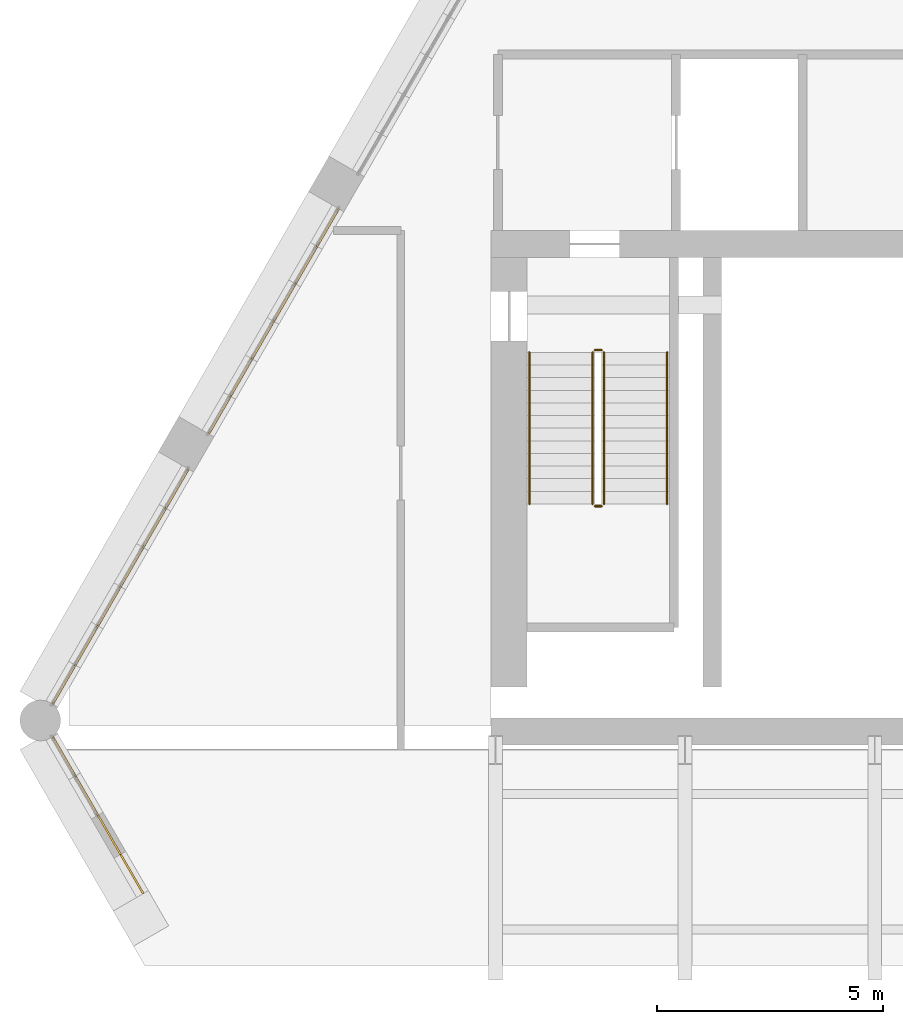
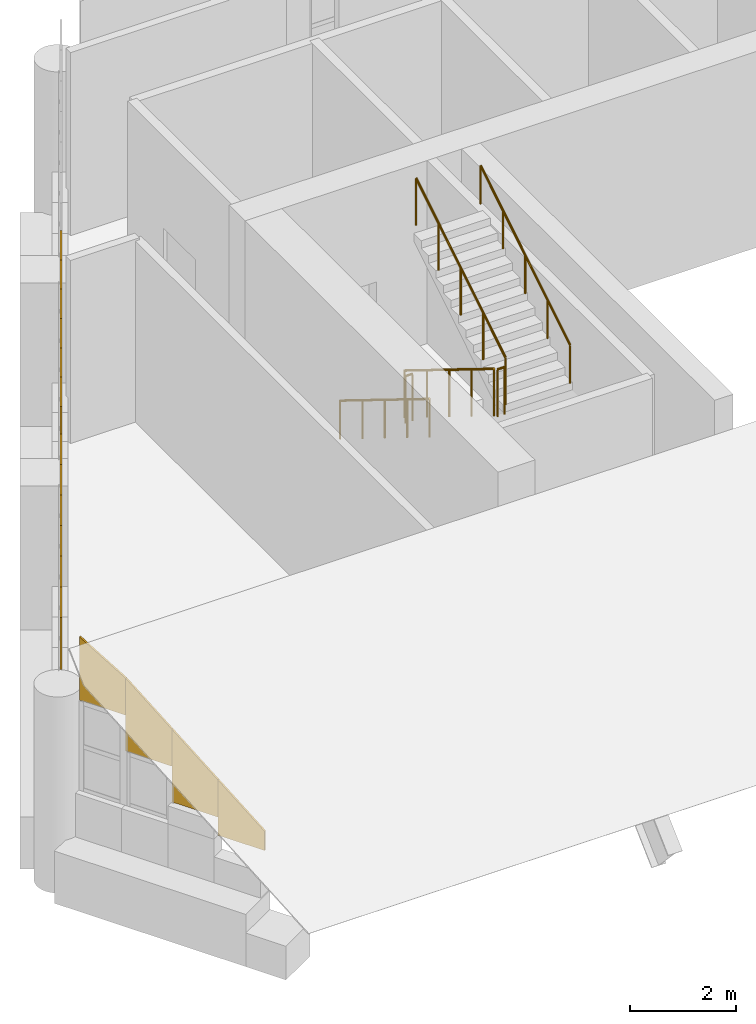
# One storey, part 17 of 20: 16 coverings, 6 railings.
"""IFC4 building model written with IfcOpenShell, lengths in metres."""

from ifc_helpers import new_model, si_unit, direction, frame, origin, origin_2d, place, context, subcontext, project, spatial, polyline, circle, outline, extrude, material, layer, layer_set, type_object, element, save


model = new_model("IFC4")

# Units and contexts
model_context = context("Model", 3, precision=1e-05, world=origin(), true_north=direction((0.0, 1.0)))
body_context = subcontext(model_context, "Body", "Model", "MODEL_VIEW")
ifc_project = project(units=[si_unit("LENGTHUNIT", "METRE"), si_unit("AREAUNIT", "SQUARE_METRE"), si_unit("VOLUMEUNIT", "CUBIC_METRE"), si_unit("PLANEANGLEUNIT", "RADIAN"), si_unit("MASSUNIT", "GRAM", prefix="KILO")], contexts=[model_context])

# Site, building, storey
site_placement = place(None, origin())
site = spatial("IfcSite", under=ifc_project, at=site_placement, CompositionType="ELEMENT")
building_placement = place(site_placement, origin())
building = spatial("IfcBuilding", under=site, at=building_placement, Name="Ostrander Bayou Hotel Tower", CompositionType="ELEMENT")
storey_placement = place(building_placement, frame((0.0, 0.0, 284.0)))
storey = spatial("IfcBuildingStorey", under=building, at=storey_placement, Name="L70", CompositionType="ELEMENT", Elevation=284.0)

# Coverings
ifc_material_1 = material(Name="Reconstituted stone panels", Category="masonry")
ifc_layer = layer(ifc_material_1, 0.0400390625)
ifc_layer_set = layer_set([ifc_layer], Name="CV3 crown cladding 40 mm")
covering_type = type_object("IfcCoveringType", Name="CV3 crown cladding 40 mm", PredefinedType="CLADDING", material=ifc_layer_set)
covering_1_placement = place(storey_placement, frame((-11.8916015625, 10.1904296875, 3.300048828125), z_axis=(-0.866122057702, 0.499832553123, 0.0), x_axis=(-0.499832553123, -0.866122057702, 0.0)))
element("IfcCovering", 1, at=covering_1_placement, inside=storey, type_object=covering_type, Name="CV3 crown fascia L70", PredefinedType="CLADDING", context=body_context, shape_type="SweptSolid", body=[
    extrude(outline(polyline([(0.0, 0.0), (0.9597940852937448, 0.0), (0.9597940852937448, 1.199951171875), (0.0, 1.199951171875), (0.0, 0.0)])), origin(), (0.0, 0.0, -1.0), 0.0400390625),
])
covering_2_placement = place(storey_placement, frame((-12.371337890625, 9.359130859375, 3.300048828125), z_axis=(-0.865948320045, 0.500133489192, 0.0), x_axis=(-0.500133489192, -0.865948320045, 0.0)))
element("IfcCovering", 2, at=covering_2_placement, inside=storey, type_object=covering_type, Name="CV3 crown fascia L70", PredefinedType="CLADDING", context=body_context, shape_type="SweptSolid", body=[
    extrude(outline(polyline([(0.0, 0.0), (0.9597047170860381, 0.0), (0.9597047170860381, 1.199951171875), (0.0, 1.199951171875), (0.0, 0.0)])), origin(), (0.0, 0.0, -1.0), 0.0400390625),
])
covering_3_placement = place(storey_placement, frame((-12.851318359375, 8.528076171875, 3.300048828125), z_axis=(-0.866011930837, 0.500023335103, 0.0), x_axis=(-0.500023335103, -0.866011930837, 0.0)))
element("IfcCovering", 3, at=covering_3_placement, inside=storey, type_object=covering_type, Name="CV3 crown fascia L70", PredefinedType="CLADDING", context=body_context, shape_type="SweptSolid", body=[
    extrude(outline(polyline([(0.0, 0.0), (0.9599161380159561, 0.0), (0.9599161380159561, 1.199951171875), (0.0, 1.199951171875), (0.0, 0.0)])), origin(), (0.0, 0.0, -1.0), 0.0400390625),
])
covering_4_placement = place(storey_placement, frame((-13.331298828125, 7.69677734375, 3.300048828125), z_axis=(-0.866122057702, 0.499832553123, 0.0), x_axis=(-0.499832553123, -0.866122057702, 0.0)))
element("IfcCovering", 4, at=covering_4_placement, inside=storey, type_object=covering_type, Name="CV3 crown fascia L70", PredefinedType="CLADDING", context=body_context, shape_type="SweptSolid", body=[
    extrude(outline(polyline([(0.0, 0.0), (0.9597940852937448, 0.0), (0.9597940852937448, 1.199951171875), (0.0, 1.199951171875), (0.0, 0.0)])), origin(), (0.0, 0.0, -1.0), 0.0400390625),
])
covering_5_placement = place(storey_placement, frame((-13.81103515625, 6.865478515625, 3.300048828125), z_axis=(-0.866011930837, 0.500023335103, 0.0), x_axis=(-0.500023335103, -0.866011930837, 0.0)))
element("IfcCovering", 5, at=covering_5_placement, inside=storey, type_object=covering_type, Name="CV3 crown fascia L70", PredefinedType="CLADDING", context=body_context, shape_type="SweptSolid", body=[
    extrude(outline(polyline([(0.0, 0.0), (0.9599161380159561, 0.0), (0.9599161380159561, 1.199951171875), (0.0, 1.199951171875), (0.0, 0.0)])), origin(), (0.0, 0.0, -1.0), 0.0400390625),
])
covering_6_placement = place(storey_placement, frame((-14.291015625, 6.0341796875, 3.300048828125), z_axis=(-0.865948320045, 0.500133489192, 0.0), x_axis=(-0.500133489192, -0.865948320045, 0.0)))
element("IfcCovering", 6, at=covering_6_placement, inside=storey, type_object=covering_type, Name="CV3 crown fascia L70", PredefinedType="CLADDING", context=body_context, shape_type="SweptSolid", body=[
    extrude(outline(polyline([(0.0, 0.0), (0.9597047170860381, 0.0), (0.9597047170860381, 1.199951171875), (0.0, 1.199951171875), (0.0, 0.0)])), origin(), (0.0, 0.0, -1.0), 0.0400390625),
])
covering_7_placement = place(storey_placement, frame((-15.220947265625, 4.423583984375, 3.300048828125), z_axis=(-0.866047774678, 0.499961250474, 0.0), x_axis=(-0.499961250474, -0.866047774678, 0.0)))
element("IfcCovering", 7, at=covering_7_placement, inside=storey, type_object=covering_type, Name="CV3 crown fascia L70", PredefinedType="CLADDING", context=body_context, shape_type="SweptSolid", body=[
    extrude(outline(polyline([(0.0, 0.0), (1.0030074196233945, 0.0), (1.0030074196233945, 1.199951171875), (0.0, 1.199951171875), (0.0, 0.0)])), origin(), (0.0, 0.0, -1.0), 0.0400390625),
])
covering_8_placement = place(storey_placement, frame((-15.722412109375, 3.554931640625, 3.300048828125), z_axis=(-0.865942374699, 0.500143783026, 0.0), x_axis=(-0.500143783026, -0.865942374699, 0.0)))
element("IfcCovering", 8, at=covering_8_placement, inside=storey, type_object=covering_type, Name="CV3 crown fascia L70", PredefinedType="CLADDING", context=body_context, shape_type="SweptSolid", body=[
    extrude(outline(polyline([(0.0, 0.0), (1.0031295027587228, 0.0), (1.0031295027587228, 1.1999511718750002), (0.0, 1.1999511718750002), (0.0, 0.0)])), origin(), (0.0, 0.0, -1.0), 0.0400390625),
])
for number, where, z_axis, x_axis, name in (
    (9, (-16.22412109375, 2.686279296875, 3.300048828125), (-0.866047774678, 0.499961250474, 0.0), (-0.499961250474, -0.866047774678, 0.0), "CV3 crown fascia L70"),
    (10, (-16.7255859375, 1.817626953125, 3.300048828125), (-0.866047774678, 0.499961250474, 0.0), (-0.499961250474, -0.866047774678, 0.0), "CV3 crown fascia L70"),
    (11, (-17.22705078125, 0.948974609375, 3.300048828125), (-0.866047774678, 0.499961250474, 0.0), (-0.499961250474, -0.866047774678, 0.0), "CV3 crown fascia L70"),
    (12, (-17.728515625, 0.080322265625, 3.300048828125), (-0.866047774678, 0.499961250474, 0.0), (-0.499961250474, -0.866047774678, 0.0), "CV3 crown fascia L70"),
):
    element("IfcCovering", number, at=place(storey_placement, frame(where, z_axis=z_axis, x_axis=x_axis)), inside=storey, type_object=covering_type, Name=name, PredefinedType="CLADDING", context=body_context, shape_type="SweptSolid", body=[
        extrude(outline(polyline([(0.0, 0.0), (1.0030074196233945, 0.0), (1.0030074196233945, 1.199951171875), (0.0, 1.199951171875), (0.0, 0.0)])), origin(), (0.0, 0.0, -1.0), 0.0400390625),
    ])
covering_9_placement = place(storey_placement, frame((-18.22998046875, -1.524658203125, 3.050537109375), z_axis=(-0.866019539041, -0.500010157896, 0.0), x_axis=(0.500010157896, -0.866019539041, 0.0)))
element("IfcCovering", 13, at=covering_9_placement, inside=storey, type_object=covering_type, Name="CV3 crown fascia L70", PredefinedType="CLADDING", context=body_context, shape_type="SweptSolid", body=[
    extrude(outline(polyline([(0.0, 0.0), (1.0038858552634866, 0.0), (1.0038858552634866, 0.849853515625), (0.0, 1.449462890625), (0.0, 0.0)])), origin(), (0.0, 0.0, -1.0), 0.0400390625),
])
covering_10_placement = place(storey_placement, frame((-17.72802734375, -2.39404296875, 2.231689453125), z_axis=(-0.866064057238, -0.499933044277, 0.0), x_axis=(0.499933044277, -0.866064057238, 0.0)))
element("IfcCovering", 14, at=covering_10_placement, inside=storey, type_object=covering_type, Name="CV3 crown fascia L70", PredefinedType="CLADDING", context=body_context, shape_type="SweptSolid", body=[
    extrude(outline(polyline([(0.0, 0.0), (1.0035523558977801, 0.0), (1.0035523558977801, 0.85009765625), (0.0, 1.668701171875), (0.0, 0.0)])), origin(), (0.0, 0.0, -1.0), 0.0400390625),
])
covering_11_placement = place(storey_placement, frame((-17.226318359375, -3.26318359375, 1.412841796875), z_axis=(-0.866080321209, -0.499904868165, 0.0), x_axis=(0.499904868165, -0.866080321209, 0.0)))
element("IfcCovering", 15, at=covering_11_placement, inside=storey, type_object=covering_type, Name="CV3 crown fascia L70", PredefinedType="CLADDING", context=body_context, shape_type="SweptSolid", body=[
    extrude(outline(polyline([(0.0, 0.0), (1.0040972932354897, 0.0), (1.0040972932354897, 0.85009765625), (0.0, 1.6689453125), (0.0, 0.0)])), origin(), (0.0, 0.0, -1.0), 0.0400390625),
])
covering_12_placement = place(storey_placement, frame((-16.724365234375, -4.1328125, 1.0), z_axis=(-0.865958718457, -0.500115484592, 0.0), x_axis=(0.500115484592, -0.865958718457, 0.0)))
element("IfcCovering", 16, at=covering_12_placement, inside=storey, type_object=covering_type, Name="CV3 crown fascia L70", PredefinedType="CLADDING", context=body_context, shape_type="SweptSolid", body=[
    extrude(outline(polyline([(0.0, 0.0), (1.0036744321355688, 0.0), (1.0036744321355688, 0.444091796875), (0.0, 1.262939453125), (0.0, 0.0)])), origin(), (0.0, 0.0, -1.0), 0.0400390625),
])

# Railings
ifc_material_2 = material(Name="Steel ASTM A500 Gr C", Category="steel")
railing_type_1 = type_object("IfcRailingType", Name="GR1 stair guard 1100 mm steel", PredefinedType="GUARDRAIL", material=ifc_material_2)
railing_1_placement = place(storey_placement, frame((-6.25, 7.0, 0.173095703125)))
element("IfcRailing", 17, at=railing_1_placement, inside=storey, type_object=railing_type_1, Name="L70 STA stair guard 1", PredefinedType="GUARDRAIL", context=body_context, shape_type="SweptSolid", body=[
    extrude(circle(Radius=0.02392578125, at=origin_2d()), frame((0.0, 0.0, 1.076171875), z_axis=(0.0, -0.850623216509, 0.525775754039), x_axis=(1.0, 0.0, 0.0)), (0.0, 0.0, 1.0), 3.9501953125),
    extrude(circle(Radius=0.02099609375, at=origin_2d()), origin(), (0.0, 0.0, 1.0), 1.052001953125),
    extrude(circle(Radius=0.02099609375, at=origin_2d()), frame((0.0, -0.840087890625, 0.519287109375)), (0.0, 0.0, 1.0), 1.052001953125),
    extrude(circle(Radius=0.02099609375, at=origin_2d()), frame((0.0, -1.68017578125, 1.03857421875)), (0.0, 0.0, 1.0), 1.052001953125),
    extrude(circle(Radius=0.02099609375, at=origin_2d()), frame((0.0, -2.52001953125, 1.5576171875)), (0.0, 0.0, 1.0), 1.052001953125),
    extrude(circle(Radius=0.02099609375, at=origin_2d()), frame((0.0, -3.360107421875, 2.076904296875)), (0.0, 0.0, 1.0), 1.052001953125),
])
railing_2_placement = place(storey_placement, frame((-6.199951171875, 3.590087890625, 2.25)))
element("IfcRailing", 18, at=railing_2_placement, inside=storey, type_object=railing_type_1, Name="L70 STA stair guard 2", PredefinedType="GUARDRAIL", context=body_context, shape_type="SweptSolid", body=[
    extrude(circle(Radius=0.02392578125, at=origin_2d()), frame((0.0, 0.0, 1.076171875), z_axis=(1.0, 0.0, 0.0), x_axis=(0.0, 1.0, 0.0)), (0.0, 0.0, 1.0), 0.14990234375),
    extrude(circle(Radius=0.02099609375, at=origin_2d()), origin(), (0.0, 0.0, 1.0), 1.052001953125),
    extrude(circle(Radius=0.02099609375, at=origin_2d()), frame((0.14990234375, 0.0, 0.0)), (0.0, 0.0, 1.0), 1.052001953125),
])
railing_3_placement = place(storey_placement, frame((-6.0, 3.639892578125, 2.423095703125)))
element("IfcRailing", 19, at=railing_3_placement, inside=storey, type_object=railing_type_1, Name="L70 STA stair guard 3", PredefinedType="GUARDRAIL", context=body_context, shape_type="SweptSolid", body=[
    extrude(circle(Radius=0.02392578125, at=origin_2d()), frame((0.0, 0.0, 1.076171875), z_axis=(0.0, 0.850623216509, 0.525775754039), x_axis=(-1.0, 0.0, 0.0)), (0.0, 0.0, 1.0), 3.9501953125),
    extrude(circle(Radius=0.02099609375, at=origin_2d()), origin(), (0.0, 0.0, 1.0), 1.052001953125),
    extrude(circle(Radius=0.02099609375, at=origin_2d()), frame((0.0, 0.840087890625, 0.519287109375)), (0.0, 0.0, 1.0), 1.052001953125),
    extrude(circle(Radius=0.02099609375, at=origin_2d()), frame((0.0, 1.68017578125, 1.03857421875)), (0.0, 0.0, 1.0), 1.052001953125),
    extrude(circle(Radius=0.02099609375, at=origin_2d()), frame((0.0, 2.52001953125, 1.5576171875)), (0.0, 0.0, 1.0), 1.052001953125),
    extrude(circle(Radius=0.02099609375, at=origin_2d()), frame((0.0, 3.360107421875, 2.076904296875)), (0.0, 0.0, 1.0), 1.052001953125),
])
railing_4_placement = place(storey_placement, frame((-6.199951171875, 7.050048828125, 0.0)))
element("IfcRailing", 20, at=railing_4_placement, inside=storey, type_object=railing_type_1, Name="L70 STA stair guard 4", PredefinedType="GUARDRAIL", context=body_context, shape_type="SweptSolid", body=[
    extrude(circle(Radius=0.02392578125, at=origin_2d()), frame((0.0, 0.0, 1.076171875), z_axis=(1.0, 0.0, 0.0), x_axis=(0.0, 1.0, 0.0)), (0.0, 0.0, 1.0), 0.14990234375),
    extrude(circle(Radius=0.02099609375, at=origin_2d()), origin(), (0.0, 0.0, 1.0), 1.052001953125),
    extrude(circle(Radius=0.02099609375, at=origin_2d()), frame((0.14990234375, 0.0, 0.0)), (0.0, 0.0, 1.0), 1.052001953125),
])
ifc_material_3 = material(Name="Steel ASTM A500 Gr C", Category="steel")
railing_type_2 = type_object("IfcRailingType", Name="HR1 stair handrail 900 mm steel", PredefinedType="HANDRAIL", material=ifc_material_3)
railing_5_placement = place(storey_placement, frame((-7.64990234375, 7.0, 0.173095703125)))
element("IfcRailing", 21, at=railing_5_placement, inside=storey, type_object=railing_type_2, Name="L70 STA stair handrail 1", PredefinedType="HANDRAIL", context=body_context, shape_type="SweptSolid", body=[
    extrude(circle(Radius=0.02392578125, at=origin_2d()), frame((0.0, 0.0, 0.8759765625), z_axis=(0.0, -0.850623216509, 0.525775754039), x_axis=(1.0, 0.0, 0.0)), (0.0, 0.0, 1.0), 3.9501953125),
    extrude(circle(Radius=0.02099609375, at=origin_2d()), origin(), (0.0, 0.0, 1.0), 0.851806640625),
    extrude(circle(Radius=0.02099609375, at=origin_2d()), frame((0.0, -0.840087890625, 0.519287109375)), (0.0, 0.0, 1.0), 0.851806640625),
    extrude(circle(Radius=0.02099609375, at=origin_2d()), frame((0.0, -1.68017578125, 1.03857421875)), (0.0, 0.0, 1.0), 0.851806640625),
    extrude(circle(Radius=0.02099609375, at=origin_2d()), frame((0.0, -2.52001953125, 1.5576171875)), (0.0, 0.0, 1.0), 0.851806640625),
    extrude(circle(Radius=0.02099609375, at=origin_2d()), frame((0.0, -3.360107421875, 2.076904296875)), (0.0, 0.0, 1.0), 0.851806640625),
])
railing_6_placement = place(storey_placement, frame((-4.60009765625, 3.639892578125, 2.423095703125)))
element("IfcRailing", 22, at=railing_6_placement, inside=storey, type_object=railing_type_2, Name="L70 STA stair handrail 2", PredefinedType="HANDRAIL", context=body_context, shape_type="SweptSolid", body=[
    extrude(circle(Radius=0.02392578125, at=origin_2d()), frame((0.0, 0.0, 0.8759765625), z_axis=(0.0, 0.850623216509, 0.525775754039), x_axis=(-1.0, 0.0, 0.0)), (0.0, 0.0, 1.0), 3.9501953125),
    extrude(circle(Radius=0.02099609375, at=origin_2d()), origin(), (0.0, 0.0, 1.0), 0.851806640625),
    extrude(circle(Radius=0.02099609375, at=origin_2d()), frame((0.0, 0.840087890625, 0.519287109375)), (0.0, 0.0, 1.0), 0.851806640625),
    extrude(circle(Radius=0.02099609375, at=origin_2d()), frame((0.0, 1.68017578125, 1.03857421875)), (0.0, 0.0, 1.0), 0.851806640625),
    extrude(circle(Radius=0.02099609375, at=origin_2d()), frame((0.0, 2.52001953125, 1.5576171875)), (0.0, 0.0, 1.0), 0.851806640625),
    extrude(circle(Radius=0.02099609375, at=origin_2d()), frame((0.0, 3.360107421875, 2.076904296875)), (0.0, 0.0, 1.0), 0.851806640625),
])

save(model, "model.ifc")
